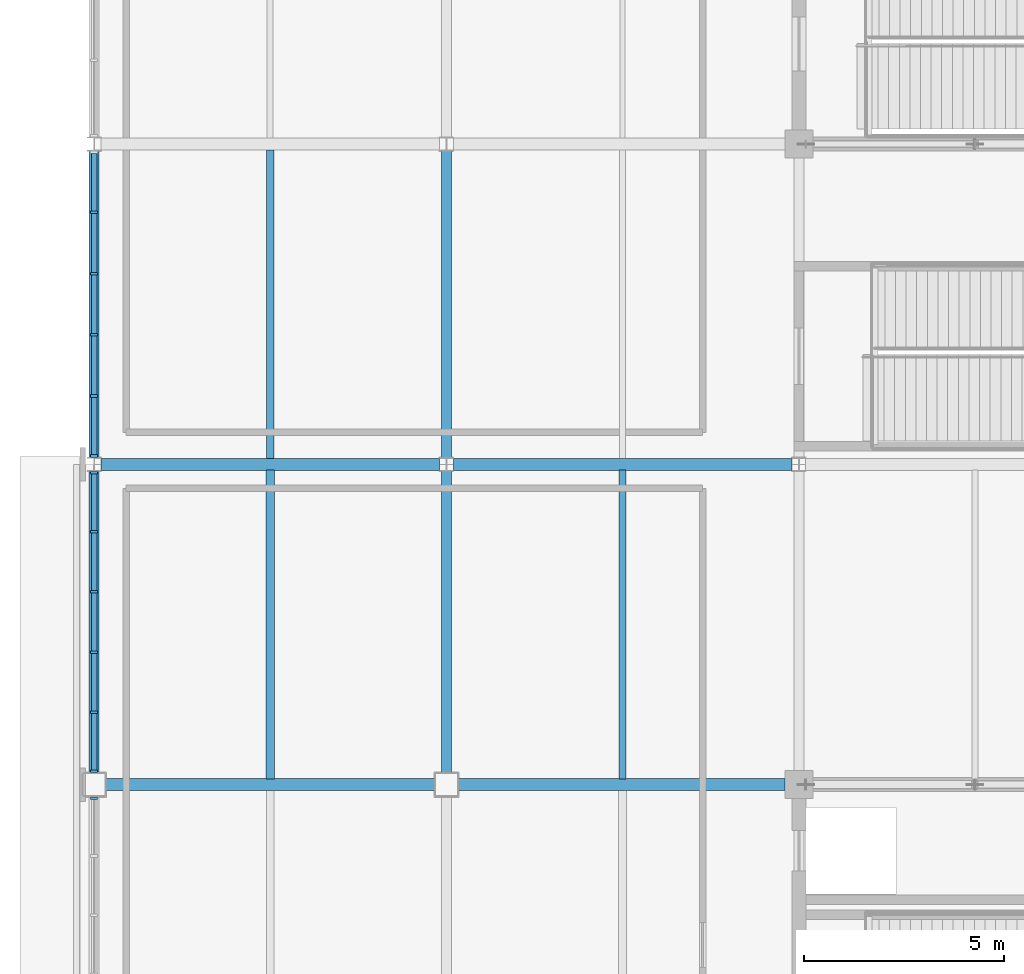
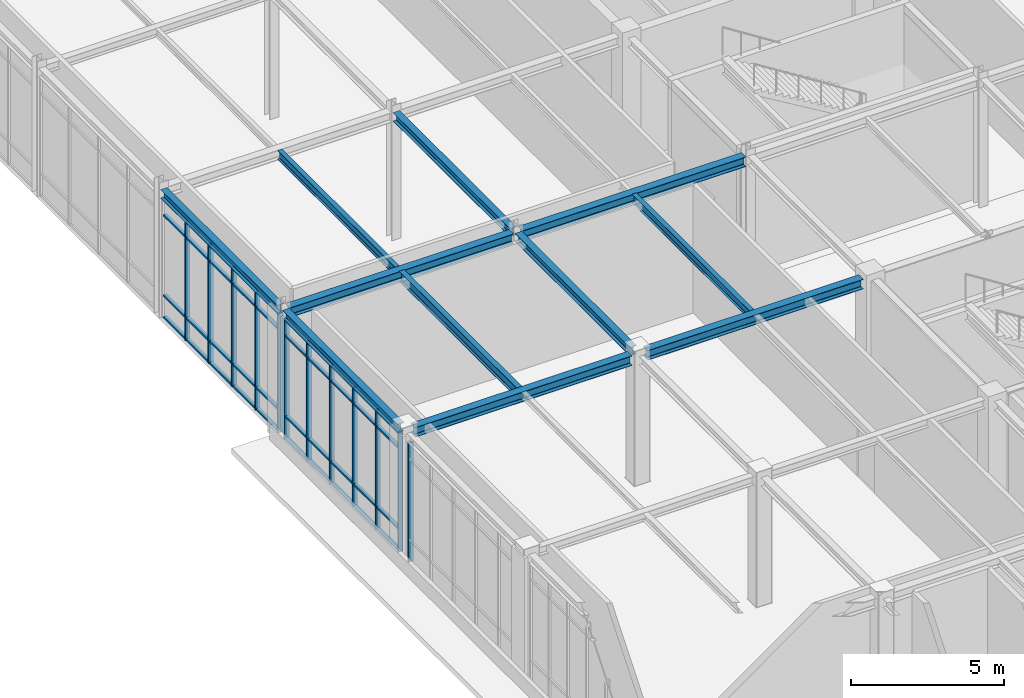
# One storey, part 37 of 108: 52 members, 11 beams, 3 elements without a shape of their own.
"""IFC4 building model written with IfcOpenShell, lengths in metres."""

import ifcopenshell
import ifcopenshell.guid

model = None  # the IFC model being written
_history = None  # IfcOwnerHistory: only IFC2X3 demands one
_inside = {}  # id of a spatial element -> (the spatial element, [elements in it])
_under = {}  # id of a project, library or spatial element -> (it, [spatial elements below it])
_declared = {}  # id of a project -> (the project, [libraries it declares])
_typed = {}  # id of a type object -> (the type object, [elements of that type])
_made_of = {}  # id of a material, layer set ... -> (it, [elements and type objects made of it])


def new_model(schema):
    """Start an empty IFC model of exactly this schema.

    Asked for "IFC4X3", IfcOpenShell would pick the latest addendum, in which some entities
    have other attributes; the version numbers below select the first issue.
    IFC2X3 requires an IfcOwnerHistory on every rooted entity: one is made here for all.
    """
    global model, _history
    if schema == "IFC4X3":
        model = ifcopenshell.file(schema_version=(4, 3, 0, 0))
    else:
        model = ifcopenshell.file(schema=schema)
    _inside.clear()
    _under.clear()
    _declared.clear()
    _typed.clear()
    _made_of.clear()
    _history = None
    if model.schema == "IFC2X3":
        org = make("IfcOrganization", Name="unknown")
        user = make(
            "IfcPersonAndOrganization",
            ThePerson=make("IfcPerson", FamilyName="unknown"),
            TheOrganization=org,
        )
        app = make(
            "IfcApplication",
            ApplicationDeveloper=org,
            Version="unknown",
            ApplicationFullName="unknown",
            ApplicationIdentifier="unknown",
        )
        _history = make(
            "IfcOwnerHistory",
            OwningUser=user,
            OwningApplication=app,
            ChangeAction="ADDED",
            CreationDate=0,
        )
    return model


def make(cls, **values):
    """One entity of the class cls with the attributes given. An attribute that is None is left unset."""
    return model.create_entity(
        cls, **{name: value for name, value in values.items() if value is not None}
    )


def rooted(cls, **values):
    """An entity with a GlobalId (a new one), such as an element, a storey or a relation."""
    return make(cls, GlobalId=ifcopenshell.guid.new(), OwnerHistory=_history, **values)


def si_unit(unit_type, name, prefix=None):
    """IfcSIUnit, for example si_unit("LENGTHUNIT", "METRE", prefix="MILLI")."""
    return make("IfcSIUnit", UnitType=unit_type, Prefix=prefix, Name=name)


def assignment(units):
    """IfcUnitAssignment: the units of a project."""
    return None if units is None else make("IfcUnitAssignment", Units=units)


def point(xyz):
    """IfcCartesianPoint."""
    return None if xyz is None else make("IfcCartesianPoint", Coordinates=xyz)


def direction(xyz):
    """IfcDirection."""
    return None if xyz is None else make("IfcDirection", DirectionRatios=xyz)


def frame(location, z_axis=None, x_axis=None):
    """IfcAxis2Placement3D, a coordinate frame: its origin and axes. An axis left out is left unset."""
    return make(
        "IfcAxis2Placement3D",
        Location=point(location),
        Axis=direction(z_axis),
        RefDirection=direction(x_axis),
    )


def frame_2d(location, x_axis=None):
    """IfcAxis2Placement2D, a coordinate frame in the plane: its origin and x axis."""
    return make(
        "IfcAxis2Placement2D", Location=point(location), RefDirection=direction(x_axis)
    )


def origin():
    """The frame at (0, 0, 0) with its axes left unset."""
    return frame((0.0, 0.0, 0.0))


def origin_2d():
    """The frame at (0, 0) in the plane with its x axis left unset."""
    return frame_2d((0.0, 0.0))


def place(relative_to, where):
    """IfcLocalPlacement: puts the frame where relative to a parent placement (None: the world)."""
    return make(
        "IfcLocalPlacement", PlacementRelTo=relative_to, RelativePlacement=where
    )


def context(
    kind, dimensions, precision=None, world=None, true_north=None, identifier=None
):
    """IfcGeometricRepresentationContext, for example the 3D "Model" context."""
    return make(
        "IfcGeometricRepresentationContext",
        ContextIdentifier=identifier,
        ContextType=kind,
        CoordinateSpaceDimension=dimensions,
        Precision=precision,
        WorldCoordinateSystem=world,
        TrueNorth=true_north,
    )


def subcontext(parent, identifier, kind, view, scale=None):
    """IfcGeometricRepresentationSubContext, for example "Body" below "Model"."""
    return make(
        "IfcGeometricRepresentationSubContext",
        ContextIdentifier=identifier,
        ContextType=kind,
        ParentContext=parent,
        TargetScale=scale,
        TargetView=view,
    )


def project(units=None, contexts=None):
    """IfcProject with its units and contexts."""
    return rooted(
        "IfcProject",
        Name="project",
        RepresentationContexts=contexts,
        UnitsInContext=assignment(units),
    )


def spatial(cls, under=None, at=None, **own):
    """A site, building, storey or space (cls), placed at a placement, below another one or the project."""
    s = rooted(cls, ObjectPlacement=at, **own)
    if under is not None:
        _under.setdefault(under.id(), (under, []))[1].append(s)
    return s


def profile(cls, at=None, kind="AREA", **sizes):
    """A parametric profile (cls). Its sizes go by their IFC names, for example OverallWidth=200.0."""
    return make(cls, ProfileType=kind, Position=at, **sizes)


def rectangle(**sizes):
    """IfcRectangleProfileDef."""
    return profile("IfcRectangleProfileDef", **sizes)


def i_section(**sizes):
    """IfcIShapeProfileDef."""
    return profile("IfcIShapeProfileDef", **sizes)


def extrude(swept, where, along, depth):
    """IfcExtrudedAreaSolid: the profile swept, set in the frame where, extruded along a direction by depth."""
    return make(
        "IfcExtrudedAreaSolid",
        SweptArea=swept,
        Position=where,
        ExtrudedDirection=direction(along),
        Depth=depth,
    )


def shape(context_of_items, identifier, shape_type, items):
    """IfcShapeRepresentation: the items that make up one representation, for example the "Body"."""
    return make(
        "IfcShapeRepresentation",
        ContextOfItems=context_of_items,
        RepresentationIdentifier=identifier,
        RepresentationType=shape_type,
        Items=items,
    )


def material(Name=None, Category=None):
    """IfcMaterial."""
    return make("IfcMaterial", Name=Name, Category=Category)


def material_profile(
    of_material, cross_section, Name=None, Category=None, Priority=None
):
    """IfcMaterialProfile: a cross section and its material."""
    return make(
        "IfcMaterialProfile",
        Name=Name,
        Material=of_material,
        Profile=cross_section,
        Priority=Priority,
        Category=Category,
    )


def profile_set(profiles, Name=None, composite=None):
    """IfcMaterialProfileSet."""
    return make(
        "IfcMaterialProfileSet",
        Name=Name,
        MaterialProfiles=profiles,
        CompositeProfile=composite,
    )


def made_of(thing, what):
    """Note that an element or type object is made of a material, layer set ...; save() writes the relation."""
    if what is not None:
        _made_of.setdefault(what.id(), (what, []))[1].append(thing)
    return thing


def type_object(cls, material=None, **own):
    """A type object (cls), such as IfcWallType, which elements share."""
    return made_of(rooted(cls, **own), material)


def element(
    cls,
    number,
    at=None,
    inside=None,
    cuts=None,
    type_object=None,
    material=None,
    context=None,
    identifier="Body",
    shape_type=None,
    held_by="IfcProductDefinitionShape",
    body=None,
    shapes=None,
    **own,
):
    """One element of the class cls, such as IfcWall. Its Tag is "e" and its number.

    at: its placement. inside: the storey or other place that contains it. cuts: it is an
    opening in that element (IfcRelVoidsElement). A single representation is given by context,
    identifier, shape_type and body (its items); several are given by shapes. held_by: the class
    of the entity that holds the representations. save() writes the other relations.
    """
    e = rooted(cls, Tag="e%d" % number, ObjectPlacement=at, **own)
    if body is not None:
        shapes = [shape(context, identifier, shape_type, body)]
    if shapes is not None:
        e.Representation = make(held_by, Representations=shapes)
    if inside is not None:
        _inside.setdefault(inside.id(), (inside, []))[1].append(e)
    if cuts is not None:
        rooted(
            "IfcRelVoidsElement", RelatingBuildingElement=cuts, RelatedOpeningElement=e
        )
    if type_object is not None:
        _typed.setdefault(type_object.id(), (type_object, []))[1].append(e)
    return made_of(e, material)


def aggregate(whole, parts):
    """IfcRelAggregates: a whole, such as a stair, and the parts it consists of."""
    return rooted("IfcRelAggregates", RelatingObject=whole, RelatedObjects=parts)


def save(model, path):
    """Write the relations noted so far, then the file.

    IfcRelAggregates (storeys below a building ...), IfcRelContainedInSpatialStructure (elements
    in a storey), IfcRelDefinesByType, IfcRelAssociatesMaterial and IfcRelDeclares: one each for
    every whole, place, type object, material and project.
    """
    for whole, parts in _under.values():
        aggregate(whole, parts)
    for where, things in _inside.values():
        rooted(
            "IfcRelContainedInSpatialStructure",
            RelatedElements=things,
            RelatingStructure=where,
        )
    for kind, things in _typed.values():
        rooted("IfcRelDefinesByType", RelatedObjects=things, RelatingType=kind)
    for what, things in _made_of.values():
        rooted("IfcRelAssociatesMaterial", RelatedObjects=things, RelatingMaterial=what)
    for by, libraries in _declared.values():
        rooted("IfcRelDeclares", RelatingContext=by, RelatedDefinitions=libraries)
    model.write(path)


model = new_model("IFC4")

# Units and contexts
model_context = context("Model", 3, precision=1e-05, world=origin(), true_north=direction((0.0, 1.0)))
body_context = subcontext(model_context, "Body", "Model", "MODEL_VIEW")
ifc_project = project(units=[si_unit("LENGTHUNIT", "METRE"), si_unit("AREAUNIT", "SQUARE_METRE"), si_unit("VOLUMEUNIT", "CUBIC_METRE"), si_unit("PLANEANGLEUNIT", "RADIAN"), si_unit("MASSUNIT", "GRAM", prefix="KILO")], contexts=[model_context])

# Site, building, storey
site_placement = place(None, origin())
site = spatial("IfcSite", under=ifc_project, at=site_placement, CompositionType="ELEMENT")
building_placement = place(site_placement, origin())
building = spatial("IfcBuilding", under=site, at=building_placement, Name="Zhaolan Boulevard Law Courts", CompositionType="ELEMENT")
storey_placement = place(building_placement, frame((0.0, 0.0, 10.800048828125)))
storey = spatial("IfcBuildingStorey", under=building, at=storey_placement, Name="L02", CompositionType="ELEMENT", Elevation=10.800048828125)

# Curtain wall, members
ifc_material_1 = material(Name="Thermally broken aluminium and low-E glazing", Category="aluminium")
curtain_wall_type_1 = type_object("IfcCurtainWallType", Name="CURTAIN WALL M19", PredefinedType="USERDEFINED", material=ifc_material_1)
curtain_wall_1_placement = place(storey_placement, origin())
curtain_wall_1 = element("IfcCurtainWall", 1, at=curtain_wall_1_placement, inside=storey, type_object=curtain_wall_type_1, Name="Curtain Wall CW-L02-115", ObjectType="CURTAIN WALL", PredefinedType="USERDEFINED")
ifc_material_2 = material(Name="Fluorocarbon-coated aluminium 6063-T6", Category="aluminium")
ifc_material_profile_1 = material_profile(ifc_material_2, rectangle(XDim=0.179931640625, YDim=0.06494140625, at=origin_2d()), Name="AL65x180")
ifc_profile_set_1 = profile_set([ifc_material_profile_1], Name="Fluorocarbon-coated aluminium 6063-T6")
member_type_1 = type_object("IfcMemberType", Name="CWMULLION 65X180", PredefinedType="MULLION", material=ifc_profile_set_1)
member_1_placement = place(storey_placement, frame((0.0, 84.293701171875, 0.0), z_axis=(0.0, 0.0, 1.0), x_axis=(1.0, 0.0, 0.0)))
member_1 = element("IfcMember", 2, at=member_1_placement, type_object=member_type_1, Name="CW-L02-115 mullion 2", PredefinedType="MULLION", context=body_context, shape_type="SweptSolid", body=[
    extrude(rectangle(XDim=0.179931640625, YDim=0.06494140625, at=origin_2d()), origin(), (0.0, 0.0, 1.0), 4.762939453125),
])
member_2_placement = place(storey_placement, frame((0.0, 82.7646484375, 0.0), z_axis=(0.0, 0.0, 1.0), x_axis=(1.0, 0.0, 0.0)))
member_2 = element("IfcMember", 3, at=member_2_placement, type_object=member_type_1, Name="CW-L02-115 mullion 3", PredefinedType="MULLION", context=body_context, shape_type="SweptSolid", body=[
    extrude(rectangle(XDim=0.179931640625, YDim=0.06494140625, at=origin_2d()), origin(), (0.0, 0.0, 1.0), 4.762939453125),
])
member_3_placement = place(storey_placement, frame((0.0, 81.2353515625, 0.0), z_axis=(0.0, 0.0, 1.0), x_axis=(1.0, 0.0, 0.0)))
member_3 = element("IfcMember", 4, at=member_3_placement, type_object=member_type_1, Name="CW-L02-115 mullion 4", PredefinedType="MULLION", context=body_context, shape_type="SweptSolid", body=[
    extrude(rectangle(XDim=0.179931640625, YDim=0.06494140625, at=origin_2d()), origin(), (0.0, 0.0, 1.0), 4.762939453125),
])
member_4_placement = place(storey_placement, frame((0.0, 79.706298828125, 0.0), z_axis=(0.0, 0.0, 1.0), x_axis=(1.0, 0.0, 0.0)))
member_4 = element("IfcMember", 5, at=member_4_placement, type_object=member_type_1, Name="CW-L02-115 mullion 5", PredefinedType="MULLION", context=body_context, shape_type="SweptSolid", body=[
    extrude(rectangle(XDim=0.179931640625, YDim=0.06494140625, at=origin_2d()), origin(), (0.0, 0.0, 1.0), 4.762939453125),
])
member_5_placement = place(storey_placement, frame((0.0, 78.20947265625, 0.0), z_axis=(0.0, 0.0, 1.0), x_axis=(1.0, 0.0, 0.0)))
member_5 = element("IfcMember", 6, at=member_5_placement, type_object=member_type_1, Name="CW-L02-115 mullion 6", PredefinedType="MULLION", context=body_context, shape_type="SweptSolid", body=[
    extrude(rectangle(XDim=0.179931640625, YDim=0.06494140625, at=origin_2d()), origin(), (0.0, 0.0, 1.0), 4.762939453125),
])

# Curtain wall, member
ifc_material_3 = material(Name="Thermally broken aluminium and low-E glazing", Category="aluminium")
curtain_wall_type_2 = type_object("IfcCurtainWallType", Name="CURTAIN WALL M16", PredefinedType="USERDEFINED", material=ifc_material_3)
curtain_wall_2_placement = place(storey_placement, origin())
curtain_wall_2 = element("IfcCurtainWall", 7, at=curtain_wall_2_placement, inside=storey, type_object=curtain_wall_type_2, Name="Curtain Wall CW-L02-160", ObjectType="CURTAIN WALL", PredefinedType="USERDEFINED")
member_6_placement = place(storey_placement, frame((0.0, 69.66552734375, 0.0), z_axis=(0.0, 0.0, 1.0), x_axis=(1.0, 0.0, 0.0)))
member_6 = element("IfcMember", 8, at=member_6_placement, type_object=member_type_1, Name="CW-L02-160 mullion 1", PredefinedType="MULLION", context=body_context, shape_type="SweptSolid", body=[
    extrude(rectangle(XDim=0.179931640625, YDim=0.06494140625, at=origin_2d()), origin(), (0.0, 0.0, 1.0), 4.782958984375),
])
aggregate(curtain_wall_2, [member_6])

# Curtain wall, members
ifc_material_4 = material(Name="Thermally broken aluminium and low-E glazing", Category="aluminium")
curtain_wall_type_3 = type_object("IfcCurtainWallType", Name="CURTAIN WALL M17", PredefinedType="USERDEFINED", material=ifc_material_4)
curtain_wall_3_placement = place(storey_placement, origin())
curtain_wall_3 = element("IfcCurtainWall", 9, at=curtain_wall_3_placement, inside=storey, type_object=curtain_wall_type_3, Name="Curtain Wall CW-L02-161", ObjectType="CURTAIN WALL", PredefinedType="USERDEFINED")
member_7_placement = place(storey_placement, frame((0.0, 77.79052734375, 0.0), z_axis=(0.0, 0.0, 1.0), x_axis=(1.0, 0.0, 0.0)))
member_7 = element("IfcMember", 10, at=member_7_placement, type_object=member_type_1, Name="CW-L02-161 mullion 1", PredefinedType="MULLION", context=body_context, shape_type="SweptSolid", body=[
    extrude(rectangle(XDim=0.179931640625, YDim=0.06494140625, at=origin_2d()), origin(), (0.0, 0.0, 1.0), 4.782958984375),
])
member_8_placement = place(storey_placement, frame((0.0, 76.31884765625, 0.0), z_axis=(0.0, 0.0, 1.0), x_axis=(1.0, 0.0, 0.0)))
member_8 = element("IfcMember", 11, at=member_8_placement, type_object=member_type_1, Name="CW-L02-161 mullion 2", PredefinedType="MULLION", context=body_context, shape_type="SweptSolid", body=[
    extrude(rectangle(XDim=0.179931640625, YDim=0.06494140625, at=origin_2d()), origin(), (0.0, 0.0, 1.0), 4.782958984375),
])
member_9_placement = place(storey_placement, frame((0.0, 74.814697265625, 0.0), z_axis=(0.0, 0.0, 1.0), x_axis=(1.0, 0.0, 0.0)))
member_9 = element("IfcMember", 12, at=member_9_placement, type_object=member_type_1, Name="CW-L02-161 mullion 3", PredefinedType="MULLION", context=body_context, shape_type="SweptSolid", body=[
    extrude(rectangle(XDim=0.179931640625, YDim=0.06494140625, at=origin_2d()), origin(), (0.0, 0.0, 1.0), 4.782958984375),
])
member_10_placement = place(storey_placement, frame((0.0, 73.310302734375, 0.0), z_axis=(0.0, 0.0, 1.0), x_axis=(1.0, 0.0, 0.0)))
member_10 = element("IfcMember", 13, at=member_10_placement, type_object=member_type_1, Name="CW-L02-161 mullion 4", PredefinedType="MULLION", context=body_context, shape_type="SweptSolid", body=[
    extrude(rectangle(XDim=0.179931640625, YDim=0.06494140625, at=origin_2d()), origin(), (0.0, 0.0, 1.0), 4.782958984375),
])
member_11_placement = place(storey_placement, frame((0.0, 71.80615234375, 0.0), z_axis=(0.0, 0.0, 1.0), x_axis=(1.0, 0.0, 0.0)))
member_11 = element("IfcMember", 14, at=member_11_placement, type_object=member_type_1, Name="CW-L02-161 mullion 5", PredefinedType="MULLION", context=body_context, shape_type="SweptSolid", body=[
    extrude(rectangle(XDim=0.179931640625, YDim=0.06494140625, at=origin_2d()), origin(), (0.0, 0.0, 1.0), 4.782958984375),
])
member_12_placement = place(storey_placement, frame((0.0, 70.33447265625, 0.0), z_axis=(0.0, 0.0, 1.0), x_axis=(1.0, 0.0, 0.0)))
member_12 = element("IfcMember", 15, at=member_12_placement, type_object=member_type_1, Name="CW-L02-161 mullion 6", PredefinedType="MULLION", context=body_context, shape_type="SweptSolid", body=[
    extrude(rectangle(XDim=0.179931640625, YDim=0.06494140625, at=origin_2d()), origin(), (0.0, 0.0, 1.0), 4.782958984375),
])

# Member
ifc_material_5 = material(Name="Fluorocarbon-coated aluminium 6063-T6", Category="aluminium")
ifc_material_profile_2 = material_profile(ifc_material_5, rectangle(XDim=0.139892578125, YDim=0.06494140625, at=origin_2d()), Name="AL65x140")
ifc_profile_set_2 = profile_set([ifc_material_profile_2], Name="Fluorocarbon-coated aluminium 6063-T6")
member_type_2 = type_object("IfcMemberType", Name="CWTRANSOM 65X140", PredefinedType="USERDEFINED", material=ifc_profile_set_2)
member_13_placement = place(storey_placement, frame((0.0, 85.758056640625, 0.032470703125), z_axis=(0.0, -1.0, 0.0), x_axis=(1.0, 0.0, 0.0)))
member_13 = element("IfcMember", 16, at=member_13_placement, type_object=member_type_2, Name="CW-L02-115 transom 1.1", ObjectType="TRANSOM", PredefinedType="USERDEFINED", context=body_context, shape_type="SweptSolid", body=[
    extrude(rectangle(XDim=0.139892578125, YDim=0.06494140625, at=origin_2d()), origin(), (0.0, 0.0, 1.0), 1.431640625),
])

member_14_placement = place(storey_placement, frame((0.0, 85.758056640625, 0.89990234375), z_axis=(0.0, -1.0, 0.0), x_axis=(1.0, 0.0, 0.0)))
member_14 = element("IfcMember", 17, at=member_14_placement, type_object=member_type_2, Name="CW-L02-115 transom 1.2", ObjectType="TRANSOM", PredefinedType="USERDEFINED", context=body_context, shape_type="SweptSolid", body=[
    extrude(rectangle(XDim=0.139892578125, YDim=0.06494140625, at=origin_2d()), origin(), (0.0, 0.0, 1.0), 1.431640625),
])

member_15_placement = place(storey_placement, frame((0.0, 85.758056640625, 4.113037109375), z_axis=(0.0, -1.0, 0.0), x_axis=(1.0, 0.0, 0.0)))
member_15 = element("IfcMember", 18, at=member_15_placement, type_object=member_type_2, Name="CW-L02-115 transom 1.3", ObjectType="TRANSOM", PredefinedType="USERDEFINED", context=body_context, shape_type="SweptSolid", body=[
    extrude(rectangle(XDim=0.139892578125, YDim=0.06494140625, at=origin_2d()), origin(), (0.0, 0.0, 1.0), 1.431640625),
])

member_16_placement = place(storey_placement, frame((0.0, 85.758056640625, 4.73046875), z_axis=(0.0, -1.0, 0.0), x_axis=(1.0, 0.0, 0.0)))
member_16 = element("IfcMember", 19, at=member_16_placement, type_object=member_type_2, Name="CW-L02-115 transom 1.4", ObjectType="TRANSOM", PredefinedType="USERDEFINED", context=body_context, shape_type="SweptSolid", body=[
    extrude(rectangle(XDim=0.139892578125, YDim=0.06494140625, at=origin_2d()), origin(), (0.0, 0.0, 1.0), 1.431640625),
])

member_17_placement = place(storey_placement, frame((0.0, 84.26123046875, 0.032470703125), z_axis=(0.0, -1.0, 0.0), x_axis=(1.0, 0.0, 0.0)))
member_17 = element("IfcMember", 20, at=member_17_placement, type_object=member_type_2, Name="CW-L02-115 transom 2.1", ObjectType="TRANSOM", PredefinedType="USERDEFINED", context=body_context, shape_type="SweptSolid", body=[
    extrude(rectangle(XDim=0.139892578125, YDim=0.06494140625, at=origin_2d()), origin(), (0.0, 0.0, 1.0), 1.464111328125),
])

member_18_placement = place(storey_placement, frame((0.0, 84.26123046875, 0.89990234375), z_axis=(0.0, -1.0, 0.0), x_axis=(1.0, 0.0, 0.0)))
member_18 = element("IfcMember", 21, at=member_18_placement, type_object=member_type_2, Name="CW-L02-115 transom 2.2", ObjectType="TRANSOM", PredefinedType="USERDEFINED", context=body_context, shape_type="SweptSolid", body=[
    extrude(rectangle(XDim=0.139892578125, YDim=0.06494140625, at=origin_2d()), origin(), (0.0, 0.0, 1.0), 1.464111328125),
])

member_19_placement = place(storey_placement, frame((0.0, 84.26123046875, 4.113037109375), z_axis=(0.0, -1.0, 0.0), x_axis=(1.0, 0.0, 0.0)))
member_19 = element("IfcMember", 22, at=member_19_placement, type_object=member_type_2, Name="CW-L02-115 transom 2.3", ObjectType="TRANSOM", PredefinedType="USERDEFINED", context=body_context, shape_type="SweptSolid", body=[
    extrude(rectangle(XDim=0.139892578125, YDim=0.06494140625, at=origin_2d()), origin(), (0.0, 0.0, 1.0), 1.464111328125),
])

member_20_placement = place(storey_placement, frame((0.0, 84.26123046875, 4.73046875), z_axis=(0.0, -1.0, 0.0), x_axis=(1.0, 0.0, 0.0)))
member_20 = element("IfcMember", 23, at=member_20_placement, type_object=member_type_2, Name="CW-L02-115 transom 2.4", ObjectType="TRANSOM", PredefinedType="USERDEFINED", context=body_context, shape_type="SweptSolid", body=[
    extrude(rectangle(XDim=0.139892578125, YDim=0.06494140625, at=origin_2d()), origin(), (0.0, 0.0, 1.0), 1.464111328125),
])

member_21_placement = place(storey_placement, frame((0.0, 82.732177734375, 0.032470703125), z_axis=(0.0, -1.0, 0.0), x_axis=(1.0, 0.0, 0.0)))
member_21 = element("IfcMember", 24, at=member_21_placement, type_object=member_type_2, Name="CW-L02-115 transom 3.1", ObjectType="TRANSOM", PredefinedType="USERDEFINED", context=body_context, shape_type="SweptSolid", body=[
    extrude(rectangle(XDim=0.139892578125, YDim=0.06494140625, at=origin_2d()), origin(), (0.0, 0.0, 1.0), 1.46435546875),
])

member_22_placement = place(storey_placement, frame((0.0, 82.732177734375, 0.89990234375), z_axis=(0.0, -1.0, 0.0), x_axis=(1.0, 0.0, 0.0)))
member_22 = element("IfcMember", 25, at=member_22_placement, type_object=member_type_2, Name="CW-L02-115 transom 3.2", ObjectType="TRANSOM", PredefinedType="USERDEFINED", context=body_context, shape_type="SweptSolid", body=[
    extrude(rectangle(XDim=0.139892578125, YDim=0.06494140625, at=origin_2d()), origin(), (0.0, 0.0, 1.0), 1.46435546875),
])

member_23_placement = place(storey_placement, frame((0.0, 82.732177734375, 4.113037109375), z_axis=(0.0, -1.0, 0.0), x_axis=(1.0, 0.0, 0.0)))
member_23 = element("IfcMember", 26, at=member_23_placement, type_object=member_type_2, Name="CW-L02-115 transom 3.3", ObjectType="TRANSOM", PredefinedType="USERDEFINED", context=body_context, shape_type="SweptSolid", body=[
    extrude(rectangle(XDim=0.139892578125, YDim=0.06494140625, at=origin_2d()), origin(), (0.0, 0.0, 1.0), 1.46435546875),
])

member_24_placement = place(storey_placement, frame((0.0, 82.732177734375, 4.73046875), z_axis=(0.0, -1.0, 0.0), x_axis=(1.0, 0.0, 0.0)))
member_24 = element("IfcMember", 27, at=member_24_placement, type_object=member_type_2, Name="CW-L02-115 transom 3.4", ObjectType="TRANSOM", PredefinedType="USERDEFINED", context=body_context, shape_type="SweptSolid", body=[
    extrude(rectangle(XDim=0.139892578125, YDim=0.06494140625, at=origin_2d()), origin(), (0.0, 0.0, 1.0), 1.46435546875),
])

member_25_placement = place(storey_placement, frame((0.0, 81.202880859375, 0.032470703125), z_axis=(0.0, -1.0, 0.0), x_axis=(1.0, 0.0, 0.0)))
member_25 = element("IfcMember", 28, at=member_25_placement, type_object=member_type_2, Name="CW-L02-115 transom 4.1", ObjectType="TRANSOM", PredefinedType="USERDEFINED", context=body_context, shape_type="SweptSolid", body=[
    extrude(rectangle(XDim=0.139892578125, YDim=0.06494140625, at=origin_2d()), origin(), (0.0, 0.0, 1.0), 1.464111328125),
])

member_26_placement = place(storey_placement, frame((0.0, 81.202880859375, 0.89990234375), z_axis=(0.0, -1.0, 0.0), x_axis=(1.0, 0.0, 0.0)))
member_26 = element("IfcMember", 29, at=member_26_placement, type_object=member_type_2, Name="CW-L02-115 transom 4.2", ObjectType="TRANSOM", PredefinedType="USERDEFINED", context=body_context, shape_type="SweptSolid", body=[
    extrude(rectangle(XDim=0.139892578125, YDim=0.06494140625, at=origin_2d()), origin(), (0.0, 0.0, 1.0), 1.464111328125),
])

member_27_placement = place(storey_placement, frame((0.0, 81.202880859375, 4.113037109375), z_axis=(0.0, -1.0, 0.0), x_axis=(1.0, 0.0, 0.0)))
member_27 = element("IfcMember", 30, at=member_27_placement, type_object=member_type_2, Name="CW-L02-115 transom 4.3", ObjectType="TRANSOM", PredefinedType="USERDEFINED", context=body_context, shape_type="SweptSolid", body=[
    extrude(rectangle(XDim=0.139892578125, YDim=0.06494140625, at=origin_2d()), origin(), (0.0, 0.0, 1.0), 1.464111328125),
])

member_28_placement = place(storey_placement, frame((0.0, 81.202880859375, 4.73046875), z_axis=(0.0, -1.0, 0.0), x_axis=(1.0, 0.0, 0.0)))
member_28 = element("IfcMember", 31, at=member_28_placement, type_object=member_type_2, Name="CW-L02-115 transom 4.4", ObjectType="TRANSOM", PredefinedType="USERDEFINED", context=body_context, shape_type="SweptSolid", body=[
    extrude(rectangle(XDim=0.139892578125, YDim=0.06494140625, at=origin_2d()), origin(), (0.0, 0.0, 1.0), 1.464111328125),
])

member_29_placement = place(storey_placement, frame((0.0, 79.673583984375, 0.032470703125), z_axis=(0.0, -1.0, 0.0), x_axis=(1.0, 0.0, 0.0)))
member_29 = element("IfcMember", 32, at=member_29_placement, type_object=member_type_2, Name="CW-L02-115 transom 5.1", ObjectType="TRANSOM", PredefinedType="USERDEFINED", context=body_context, shape_type="SweptSolid", body=[
    extrude(rectangle(XDim=0.139892578125, YDim=0.06494140625, at=origin_2d()), origin(), (0.0, 0.0, 1.0), 1.431640625),
])

member_30_placement = place(storey_placement, frame((0.0, 79.673583984375, 0.89990234375), z_axis=(0.0, -1.0, 0.0), x_axis=(1.0, 0.0, 0.0)))
member_30 = element("IfcMember", 33, at=member_30_placement, type_object=member_type_2, Name="CW-L02-115 transom 5.2", ObjectType="TRANSOM", PredefinedType="USERDEFINED", context=body_context, shape_type="SweptSolid", body=[
    extrude(rectangle(XDim=0.139892578125, YDim=0.06494140625, at=origin_2d()), origin(), (0.0, 0.0, 1.0), 1.431640625),
])

member_31_placement = place(storey_placement, frame((0.0, 79.673583984375, 4.113037109375), z_axis=(0.0, -1.0, 0.0), x_axis=(1.0, 0.0, 0.0)))
member_31 = element("IfcMember", 34, at=member_31_placement, type_object=member_type_2, Name="CW-L02-115 transom 5.3", ObjectType="TRANSOM", PredefinedType="USERDEFINED", context=body_context, shape_type="SweptSolid", body=[
    extrude(rectangle(XDim=0.139892578125, YDim=0.06494140625, at=origin_2d()), origin(), (0.0, 0.0, 1.0), 1.431640625),
])

member_32_placement = place(storey_placement, frame((0.0, 79.673583984375, 4.73046875), z_axis=(0.0, -1.0, 0.0), x_axis=(1.0, 0.0, 0.0)))
member_32 = element("IfcMember", 35, at=member_32_placement, type_object=member_type_2, Name="CW-L02-115 transom 5.4", ObjectType="TRANSOM", PredefinedType="USERDEFINED", context=body_context, shape_type="SweptSolid", body=[
    extrude(rectangle(XDim=0.139892578125, YDim=0.06494140625, at=origin_2d()), origin(), (0.0, 0.0, 1.0), 1.431640625),
])

aggregate(curtain_wall_1, [member_1, member_2, member_3, member_4, member_5, member_13, member_14, member_15, member_16, member_17, member_18, member_19, member_20, member_21, member_22, member_23, member_24, member_25, member_26, member_27, member_28, member_29, member_30, member_31, member_32])

member_33_placement = place(storey_placement, frame((0.0, 77.758056640625, 0.032470703125), z_axis=(0.0, -1.0, 0.0), x_axis=(1.0, 0.0, 0.0)))
member_33 = element("IfcMember", 36, at=member_33_placement, type_object=member_type_2, Name="CW-L02-161 transom 1.1", ObjectType="TRANSOM", PredefinedType="USERDEFINED", context=body_context, shape_type="SweptSolid", body=[
    extrude(rectangle(XDim=0.139892578125, YDim=0.06494140625, at=origin_2d()), origin(), (0.0, 0.0, 1.0), 1.40673828125),
])

member_34_placement = place(storey_placement, frame((0.0, 77.758056640625, 0.89990234375), z_axis=(0.0, -1.0, 0.0), x_axis=(1.0, 0.0, 0.0)))
member_34 = element("IfcMember", 37, at=member_34_placement, type_object=member_type_2, Name="CW-L02-161 transom 1.2", ObjectType="TRANSOM", PredefinedType="USERDEFINED", context=body_context, shape_type="SweptSolid", body=[
    extrude(rectangle(XDim=0.139892578125, YDim=0.06494140625, at=origin_2d()), origin(), (0.0, 0.0, 1.0), 1.40673828125),
])

member_35_placement = place(storey_placement, frame((0.0, 77.758056640625, 4.133056640625), z_axis=(0.0, -1.0, 0.0), x_axis=(1.0, 0.0, 0.0)))
member_35 = element("IfcMember", 38, at=member_35_placement, type_object=member_type_2, Name="CW-L02-161 transom 1.3", ObjectType="TRANSOM", PredefinedType="USERDEFINED", context=body_context, shape_type="SweptSolid", body=[
    extrude(rectangle(XDim=0.139892578125, YDim=0.06494140625, at=origin_2d()), origin(), (0.0, 0.0, 1.0), 1.40673828125),
])

member_36_placement = place(storey_placement, frame((0.0, 77.758056640625, 4.75048828125), z_axis=(0.0, -1.0, 0.0), x_axis=(1.0, 0.0, 0.0)))
member_36 = element("IfcMember", 39, at=member_36_placement, type_object=member_type_2, Name="CW-L02-161 transom 1.4", ObjectType="TRANSOM", PredefinedType="USERDEFINED", context=body_context, shape_type="SweptSolid", body=[
    extrude(rectangle(XDim=0.139892578125, YDim=0.06494140625, at=origin_2d()), origin(), (0.0, 0.0, 1.0), 1.40673828125),
])

member_37_placement = place(storey_placement, frame((0.0, 76.286376953125, 0.032470703125), z_axis=(0.0, -1.0, 0.0), x_axis=(1.0, 0.0, 0.0)))
member_37 = element("IfcMember", 40, at=member_37_placement, type_object=member_type_2, Name="CW-L02-161 transom 2.1", ObjectType="TRANSOM", PredefinedType="USERDEFINED", context=body_context, shape_type="SweptSolid", body=[
    extrude(rectangle(XDim=0.139892578125, YDim=0.06494140625, at=origin_2d()), origin(), (0.0, 0.0, 1.0), 1.439208984375),
])

member_38_placement = place(storey_placement, frame((0.0, 76.286376953125, 0.89990234375), z_axis=(0.0, -1.0, 0.0), x_axis=(1.0, 0.0, 0.0)))
member_38 = element("IfcMember", 41, at=member_38_placement, type_object=member_type_2, Name="CW-L02-161 transom 2.2", ObjectType="TRANSOM", PredefinedType="USERDEFINED", context=body_context, shape_type="SweptSolid", body=[
    extrude(rectangle(XDim=0.139892578125, YDim=0.06494140625, at=origin_2d()), origin(), (0.0, 0.0, 1.0), 1.439208984375),
])

member_39_placement = place(storey_placement, frame((0.0, 76.286376953125, 4.133056640625), z_axis=(0.0, -1.0, 0.0), x_axis=(1.0, 0.0, 0.0)))
member_39 = element("IfcMember", 42, at=member_39_placement, type_object=member_type_2, Name="CW-L02-161 transom 2.3", ObjectType="TRANSOM", PredefinedType="USERDEFINED", context=body_context, shape_type="SweptSolid", body=[
    extrude(rectangle(XDim=0.139892578125, YDim=0.06494140625, at=origin_2d()), origin(), (0.0, 0.0, 1.0), 1.439208984375),
])

member_40_placement = place(storey_placement, frame((0.0, 76.286376953125, 4.75048828125), z_axis=(0.0, -1.0, 0.0), x_axis=(1.0, 0.0, 0.0)))
member_40 = element("IfcMember", 43, at=member_40_placement, type_object=member_type_2, Name="CW-L02-161 transom 2.4", ObjectType="TRANSOM", PredefinedType="USERDEFINED", context=body_context, shape_type="SweptSolid", body=[
    extrude(rectangle(XDim=0.139892578125, YDim=0.06494140625, at=origin_2d()), origin(), (0.0, 0.0, 1.0), 1.439208984375),
])

member_41_placement = place(storey_placement, frame((0.0, 74.781982421875, 0.032470703125), z_axis=(0.0, -1.0, 0.0), x_axis=(1.0, 0.0, 0.0)))
member_41 = element("IfcMember", 44, at=member_41_placement, type_object=member_type_2, Name="CW-L02-161 transom 3.1", ObjectType="TRANSOM", PredefinedType="USERDEFINED", context=body_context, shape_type="SweptSolid", body=[
    extrude(rectangle(XDim=0.139892578125, YDim=0.06494140625, at=origin_2d()), origin(), (0.0, 0.0, 1.0), 1.43896484375),
])

member_42_placement = place(storey_placement, frame((0.0, 74.781982421875, 0.89990234375), z_axis=(0.0, -1.0, 0.0), x_axis=(1.0, 0.0, 0.0)))
member_42 = element("IfcMember", 45, at=member_42_placement, type_object=member_type_2, Name="CW-L02-161 transom 3.2", ObjectType="TRANSOM", PredefinedType="USERDEFINED", context=body_context, shape_type="SweptSolid", body=[
    extrude(rectangle(XDim=0.139892578125, YDim=0.06494140625, at=origin_2d()), origin(), (0.0, 0.0, 1.0), 1.43896484375),
])

member_43_placement = place(storey_placement, frame((0.0, 74.781982421875, 4.133056640625), z_axis=(0.0, -1.0, 0.0), x_axis=(1.0, 0.0, 0.0)))
member_43 = element("IfcMember", 46, at=member_43_placement, type_object=member_type_2, Name="CW-L02-161 transom 3.3", ObjectType="TRANSOM", PredefinedType="USERDEFINED", context=body_context, shape_type="SweptSolid", body=[
    extrude(rectangle(XDim=0.139892578125, YDim=0.06494140625, at=origin_2d()), origin(), (0.0, 0.0, 1.0), 1.43896484375),
])

member_44_placement = place(storey_placement, frame((0.0, 74.781982421875, 4.75048828125), z_axis=(0.0, -1.0, 0.0), x_axis=(1.0, 0.0, 0.0)))
member_44 = element("IfcMember", 47, at=member_44_placement, type_object=member_type_2, Name="CW-L02-161 transom 3.4", ObjectType="TRANSOM", PredefinedType="USERDEFINED", context=body_context, shape_type="SweptSolid", body=[
    extrude(rectangle(XDim=0.139892578125, YDim=0.06494140625, at=origin_2d()), origin(), (0.0, 0.0, 1.0), 1.43896484375),
])

member_45_placement = place(storey_placement, frame((0.0, 73.27783203125, 0.032470703125), z_axis=(0.0, -1.0, 0.0), x_axis=(1.0, 0.0, 0.0)))
member_45 = element("IfcMember", 48, at=member_45_placement, type_object=member_type_2, Name="CW-L02-161 transom 4.1", ObjectType="TRANSOM", PredefinedType="USERDEFINED", context=body_context, shape_type="SweptSolid", body=[
    extrude(rectangle(XDim=0.139892578125, YDim=0.06494140625, at=origin_2d()), origin(), (0.0, 0.0, 1.0), 1.439208984375),
])

member_46_placement = place(storey_placement, frame((0.0, 73.27783203125, 0.89990234375), z_axis=(0.0, -1.0, 0.0), x_axis=(1.0, 0.0, 0.0)))
member_46 = element("IfcMember", 49, at=member_46_placement, type_object=member_type_2, Name="CW-L02-161 transom 4.2", ObjectType="TRANSOM", PredefinedType="USERDEFINED", context=body_context, shape_type="SweptSolid", body=[
    extrude(rectangle(XDim=0.139892578125, YDim=0.06494140625, at=origin_2d()), origin(), (0.0, 0.0, 1.0), 1.439208984375),
])

member_47_placement = place(storey_placement, frame((0.0, 73.27783203125, 4.133056640625), z_axis=(0.0, -1.0, 0.0), x_axis=(1.0, 0.0, 0.0)))
member_47 = element("IfcMember", 50, at=member_47_placement, type_object=member_type_2, Name="CW-L02-161 transom 4.3", ObjectType="TRANSOM", PredefinedType="USERDEFINED", context=body_context, shape_type="SweptSolid", body=[
    extrude(rectangle(XDim=0.139892578125, YDim=0.06494140625, at=origin_2d()), origin(), (0.0, 0.0, 1.0), 1.439208984375),
])

member_48_placement = place(storey_placement, frame((0.0, 73.27783203125, 4.75048828125), z_axis=(0.0, -1.0, 0.0), x_axis=(1.0, 0.0, 0.0)))
member_48 = element("IfcMember", 51, at=member_48_placement, type_object=member_type_2, Name="CW-L02-161 transom 4.4", ObjectType="TRANSOM", PredefinedType="USERDEFINED", context=body_context, shape_type="SweptSolid", body=[
    extrude(rectangle(XDim=0.139892578125, YDim=0.06494140625, at=origin_2d()), origin(), (0.0, 0.0, 1.0), 1.439208984375),
])

member_49_placement = place(storey_placement, frame((0.0, 71.773681640625, 0.032470703125), z_axis=(0.0, -1.0, 0.0), x_axis=(1.0, 0.0, 0.0)))
member_49 = element("IfcMember", 52, at=member_49_placement, type_object=member_type_2, Name="CW-L02-161 transom 5.1", ObjectType="TRANSOM", PredefinedType="USERDEFINED", context=body_context, shape_type="SweptSolid", body=[
    extrude(rectangle(XDim=0.139892578125, YDim=0.06494140625, at=origin_2d()), origin(), (0.0, 0.0, 1.0), 1.40673828125),
])

member_50_placement = place(storey_placement, frame((0.0, 71.773681640625, 0.89990234375), z_axis=(0.0, -1.0, 0.0), x_axis=(1.0, 0.0, 0.0)))
member_50 = element("IfcMember", 53, at=member_50_placement, type_object=member_type_2, Name="CW-L02-161 transom 5.2", ObjectType="TRANSOM", PredefinedType="USERDEFINED", context=body_context, shape_type="SweptSolid", body=[
    extrude(rectangle(XDim=0.139892578125, YDim=0.06494140625, at=origin_2d()), origin(), (0.0, 0.0, 1.0), 1.40673828125),
])

member_51_placement = place(storey_placement, frame((0.0, 71.773681640625, 4.133056640625), z_axis=(0.0, -1.0, 0.0), x_axis=(1.0, 0.0, 0.0)))
member_51 = element("IfcMember", 54, at=member_51_placement, type_object=member_type_2, Name="CW-L02-161 transom 5.3", ObjectType="TRANSOM", PredefinedType="USERDEFINED", context=body_context, shape_type="SweptSolid", body=[
    extrude(rectangle(XDim=0.139892578125, YDim=0.06494140625, at=origin_2d()), origin(), (0.0, 0.0, 1.0), 1.40673828125),
])

member_52_placement = place(storey_placement, frame((0.0, 71.773681640625, 4.75048828125), z_axis=(0.0, -1.0, 0.0), x_axis=(1.0, 0.0, 0.0)))
member_52 = element("IfcMember", 55, at=member_52_placement, type_object=member_type_2, Name="CW-L02-161 transom 5.4", ObjectType="TRANSOM", PredefinedType="USERDEFINED", context=body_context, shape_type="SweptSolid", body=[
    extrude(rectangle(XDim=0.139892578125, YDim=0.06494140625, at=origin_2d()), origin(), (0.0, 0.0, 1.0), 1.40673828125),
])

aggregate(curtain_wall_3, [member_7, member_8, member_9, member_10, member_11, member_12, member_33, member_34, member_35, member_36, member_37, member_38, member_39, member_40, member_41, member_42, member_43, member_44, member_45, member_46, member_47, member_48, member_49, member_50, member_51, member_52])

# Beams
ifc_material_6 = material(Name="Structural steel Q355B", Category="steel")
ifc_material_profile_3 = material_profile(ifc_material_6, i_section(OverallWidth=0.25, OverallDepth=0.340087890625, WebThickness=0.009033203125, FlangeThickness=0.013916015625, FilletRadius=0.01611328125, at=origin_2d()), Name="HM340x250")
ifc_profile_set_3 = profile_set([ifc_material_profile_3], Name="Structural steel Q355B")
beam_type_1 = type_object("IfcBeamType", Name="GIRDER HM340", PredefinedType="BEAM", material=ifc_profile_set_3)
beam_1_placement = place(storey_placement, frame((0.0, 70.2958984375, 4.968017578125), z_axis=(0.0, 1.0, 0.0), x_axis=(-1.0, 0.0, 0.0)))
element("IfcBeam", 56, at=beam_1_placement, inside=storey, type_object=beam_type_1, Name="Beam BY-L03-1-K-L", PredefinedType="BEAM", context=body_context, shape_type="SweptSolid", body=[
    extrude(i_section(OverallWidth=0.25, OverallDepth=0.340087890625, WebThickness=0.009033203125, FlangeThickness=0.013916015625, FilletRadius=0.01611328125, at=origin_2d()), origin(), (0.0, 0.0, 1.0), 7.533203125),
])
beam_2_placement = place(storey_placement, frame((0.0, 78.1708984375, 4.947998046875), z_axis=(0.0, 1.0, 0.0), x_axis=(-1.0, 0.0, 0.0)))
element("IfcBeam", 57, at=beam_2_placement, inside=storey, type_object=beam_type_1, Name="Beam BY-L03-1-L-M", PredefinedType="BEAM", context=body_context, shape_type="SweptSolid", body=[
    extrude(i_section(OverallWidth=0.25, OverallDepth=0.340087890625, WebThickness=0.009033203125, FlangeThickness=0.013916015625, FilletRadius=0.01611328125, at=origin_2d()), origin(), (0.0, 0.0, 1.0), 7.658203125),
])
beam_3_placement = place(storey_placement, frame((8.800048828125, 70.2958984375, 4.968017578125), z_axis=(0.0, 1.0, 0.0), x_axis=(-1.0, 0.0, 0.0)))
element("IfcBeam", 58, at=beam_3_placement, inside=storey, type_object=beam_type_1, Name="Beam BY-L03-2-K-L", PredefinedType="BEAM", context=body_context, shape_type="SweptSolid", body=[
    extrude(i_section(OverallWidth=0.25, OverallDepth=0.340087890625, WebThickness=0.009033203125, FlangeThickness=0.013916015625, FilletRadius=0.01611328125, at=origin_2d()), origin(), (0.0, 0.0, 1.0), 7.533203125),
])
beam_4_placement = place(storey_placement, frame((8.800048828125, 78.1708984375, 4.947998046875), z_axis=(0.0, 1.0, 0.0), x_axis=(-1.0, 0.0, 0.0)))
element("IfcBeam", 59, at=beam_4_placement, inside=storey, type_object=beam_type_1, Name="Beam BY-L03-2-L-M", PredefinedType="BEAM", context=body_context, shape_type="SweptSolid", body=[
    extrude(i_section(OverallWidth=0.25, OverallDepth=0.340087890625, WebThickness=0.009033203125, FlangeThickness=0.013916015625, FilletRadius=0.01611328125, at=origin_2d()), origin(), (0.0, 0.0, 1.0), 7.658203125),
])
ifc_material_7 = material(Name="Structural steel Q355B", Category="steel")
ifc_material_profile_4 = material_profile(ifc_material_7, i_section(OverallWidth=0.300048828125, OverallDepth=0.389892578125, WebThickness=0.010009765625, FlangeThickness=0.01611328125, FilletRadius=0.01806640625, at=origin_2d()), Name="HM390x300")
ifc_profile_set_4 = profile_set([ifc_material_profile_4], Name="Structural steel Q355B")
beam_type_2 = type_object("IfcBeamType", Name="GIRDER HM390", PredefinedType="BEAM", material=ifc_profile_set_4)
beam_5_placement = place(storey_placement, frame((0.2958984375, 70.0, 4.94287109375), z_axis=(1.0, 0.0, 0.0), x_axis=(0.0, 1.0, 0.0)))
element("IfcBeam", 60, at=beam_5_placement, inside=storey, type_object=beam_type_2, Name="Beam BX-L03-1-2-K", PredefinedType="BEAM", context=body_context, shape_type="SweptSolid", body=[
    extrude(i_section(OverallWidth=0.300048828125, OverallDepth=0.389892578125, WebThickness=0.010009765625, FlangeThickness=0.01611328125, FilletRadius=0.01806640625, at=origin_2d()), origin(), (0.0, 0.0, 1.0), 8.2080078125),
])
beam_6_placement = place(storey_placement, frame((9.095947265625, 70.0, 4.94287109375), z_axis=(1.0, 0.0, 0.0), x_axis=(0.0, 1.0, 0.0)))
element("IfcBeam", 61, at=beam_6_placement, inside=storey, type_object=beam_type_2, Name="Beam BX-L03-2-3-K", PredefinedType="BEAM", context=body_context, shape_type="SweptSolid", body=[
    extrude(i_section(OverallWidth=0.300048828125, OverallDepth=0.389892578125, WebThickness=0.010009765625, FlangeThickness=0.01611328125, FilletRadius=0.01806640625, at=origin_2d()), origin(), (0.0, 0.0, 1.0), 8.157958984375),
])
for number, where, z_axis, x_axis, name in (
    (62, (0.1708984375, 78.0, 4.9228515625), (1.0, 0.0, 0.0), (0.0, 1.0, 0.0), "Beam BX-L03-1-2-L"),
    (63, (8.970947265625, 78.0, 4.9228515625), (1.0, 0.0, 0.0), (0.0, 1.0, 0.0), "Beam BX-L03-2-3-L"),
):
    element("IfcBeam", number, at=place(storey_placement, frame(where, z_axis=z_axis, x_axis=x_axis)), inside=storey, type_object=beam_type_2, Name=name, PredefinedType="BEAM", context=body_context, shape_type="SweptSolid", body=[
        extrude(i_section(OverallWidth=0.300048828125, OverallDepth=0.389892578125, WebThickness=0.010009765625, FlangeThickness=0.01611328125, FilletRadius=0.01806640625, at=origin_2d()), origin(), (0.0, 0.0, 1.0), 8.4580078125),
    ])
ifc_material_8 = material(Name="Structural steel Q355B", Category="steel")
ifc_material_profile_5 = material_profile(ifc_material_8, i_section(OverallWidth=0.175048828125, OverallDepth=0.35009765625, WebThickness=0.007080078125, FlangeThickness=0.010986328125, FilletRadius=0.012939453125, at=origin_2d()), Name="HN350x175")
ifc_profile_set_5 = profile_set([ifc_material_profile_5], Name="Structural steel Q355B")
beam_type_3 = type_object("IfcBeamType", Name="JOIST HN350", PredefinedType="JOIST", material=ifc_profile_set_5)
for number, where, z_axis, x_axis, name in (
    (64, (4.39990234375, 78.14599609375, 4.94287109375), (0.0, 1.0, 0.0), (-1.0, 0.0, 0.0), "Composite Joist J-L03-1L"),
    (65, (13.199951171875, 70.14599609375, 4.962890625), (0.0, 1.0, 0.0), (-1.0, 0.0, 0.0), "Composite Joist J-L03-2K"),
):
    element("IfcBeam", number, at=place(storey_placement, frame(where, z_axis=z_axis, x_axis=x_axis)), inside=storey, type_object=beam_type_3, Name=name, PredefinedType="JOIST", context=body_context, shape_type="SweptSolid", body=[
        extrude(i_section(OverallWidth=0.175048828125, OverallDepth=0.35009765625, WebThickness=0.007080078125, FlangeThickness=0.010986328125, FilletRadius=0.012939453125, at=origin_2d()), origin(), (0.0, 0.0, 1.0), 7.7080078125),
    ])
ifc_material_9 = material(Name="Structural steel Q355B", Category="steel")
ifc_material_profile_6 = material_profile(ifc_material_9, i_section(OverallWidth=0.199951171875, OverallDepth=0.39990234375, WebThickness=0.008056640625, FlangeThickness=0.012939453125, FilletRadius=0.013916015625, at=origin_2d()), Name="HN400x200")
ifc_profile_set_6 = profile_set([ifc_material_profile_6], Name="Structural steel Q355B")
beam_type_4 = type_object("IfcBeamType", Name="JOIST HN400", PredefinedType="JOIST", material=ifc_profile_set_6)
beam_7_placement = place(storey_placement, frame((4.39990234375, 70.14599609375, 4.93798828125), z_axis=(0.0, 1.0, 0.0), x_axis=(-1.0, 0.0, 0.0)))
element("IfcBeam", 66, at=beam_7_placement, inside=storey, type_object=beam_type_4, Name="Composite Joist J-L03-1K", PredefinedType="JOIST", context=body_context, shape_type="SweptSolid", body=[
    extrude(i_section(OverallWidth=0.199951171875, OverallDepth=0.39990234375, WebThickness=0.008056640625, FlangeThickness=0.012939453125, FilletRadius=0.013916015625, at=origin_2d()), origin(), (0.0, 0.0, 1.0), 7.7080078125),
])

save(model, "model.ifc")
